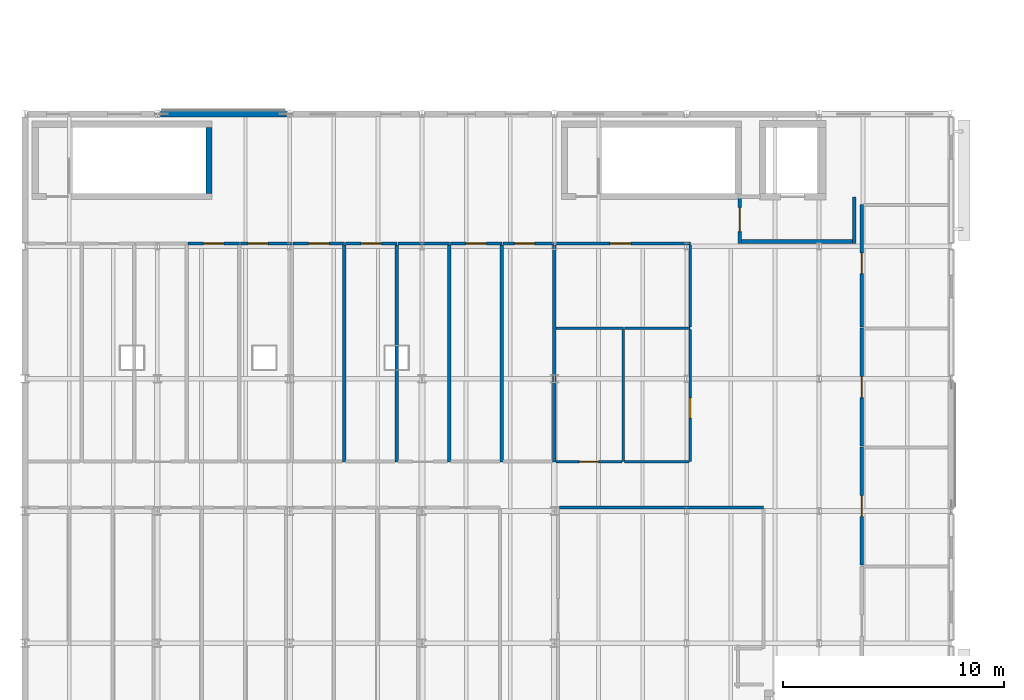
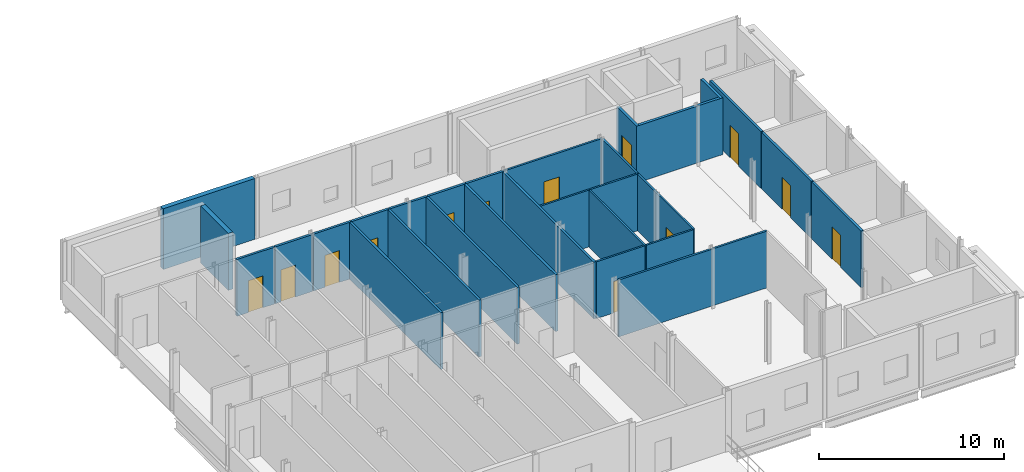
# One storey, part 32 of 45: 29 walls, 13 doors, 13 openings.
"""IFC4 building model written with IfcOpenShell, lengths in metres."""

from ifc_helpers import new_model, si_unit, direction, frame, frame_2d, origin, place, context, subcontext, project, spatial, rectangle, extrude, material, layer, layer_set, type_object, element, fill, save


model = new_model("IFC4")

# Units and contexts
model_context = context("Model", 3, precision=1e-05, world=origin(), true_north=direction((0.0, 1.0)))
body_context = subcontext(model_context, "Body", "Model", "MODEL_VIEW")
ifc_project = project(units=[si_unit("LENGTHUNIT", "METRE"), si_unit("AREAUNIT", "SQUARE_METRE"), si_unit("VOLUMEUNIT", "CUBIC_METRE"), si_unit("PLANEANGLEUNIT", "RADIAN"), si_unit("MASSUNIT", "GRAM", prefix="KILO")], contexts=[model_context])

# Site, building, storey
site_placement = place(None, origin())
site = spatial("IfcSite", under=ifc_project, at=site_placement, CompositionType="ELEMENT")
building_placement = place(site_placement, origin())
building = spatial("IfcBuilding", under=site, at=building_placement, Name="Siltcreek Boulevard Central Fire Station", CompositionType="ELEMENT")
storey_placement = place(building_placement, frame((0.0, 0.0, 10.0)))
storey = spatial("IfcBuildingStorey", under=building, at=storey_placement, Name="L03", CompositionType="ELEMENT", Elevation=10.0)

# Walls
ifc_material_1 = material(Name="Concrete C40/50", Category="concrete")
ifc_layer_1 = layer(ifc_material_1, 0.280029296875, Name="Concrete C40/50")
ifc_layer_set_1 = layer_set([ifc_layer_1], Name="Concrete C40/50")
wall_type_1 = type_object("IfcWallType", Name="CW_SHEAR280", PredefinedType="SHEAR", material=ifc_layer_set_1)
wall_1_placement = place(storey_placement, frame((74.340087890625, 50.39990234375, 0.0), z_axis=(0.0, 0.0, 1.0), x_axis=(0.0, 1.0, 0.0)))
element("IfcWall", 1, at=wall_1_placement, inside=storey, type_object=wall_type_1, Name="L03 ST-V2C stair enclosure east shear wall", PredefinedType="SHEAR", context=body_context, shape_type="SweptSolid", body=[
    extrude(rectangle(XDim=3.0, YDim=0.280029296875, at=frame_2d((1.5, 0.0))), origin(), (0.0, 0.0, 1.0), 3.75),
])
ifc_material_2 = material(Name="White ribbed aluminum spandrel wall", Category="aluminium")
ifc_layer_2 = layer(ifc_material_2, 0.2900390625, Name="White ribbed aluminum spandrel wall")
ifc_layer_set_2 = layer_set([ifc_layer_2], Name="White ribbed aluminum spandrel wall")
wall_type_2 = type_object("IfcWallType", Name="EW_METAL290", PredefinedType="STANDARD", material=ifc_layer_set_2)
wall_2_placement = place(storey_placement, frame((77.85498046875, 54.0, 0.0), z_axis=(0.0, 0.0, 1.0), x_axis=(-1.0, 0.0, 0.0)))
element("IfcWall", 2, at=wall_2_placement, inside=storey, type_object=wall_type_2, Name="L03 V2 exterior insulated rainscreen wall WL-EXT-L03-0089", PredefinedType="STANDARD", context=body_context, shape_type="SweptSolid", body=[
    extrude(rectangle(XDim=5.7099609375, YDim=0.2900390625, at=frame_2d((2.85498046875, 0.0))), origin(), (0.0, 0.0, 1.0), 4.0),
])

# Wall, opening, door
ifc_material_3 = material(Name="STC-55 insulated acoustic crew bunk partition", Category="gypsum")
ifc_layer_3 = layer(ifc_material_3, 0.14501953125, Name="STC-55 insulated acoustic crew bunk partition")
ifc_layer_set_3 = layer_set([ifc_layer_3], Name="STC-55 insulated acoustic crew bunk partition")
wall_type_3 = type_object("IfcWallType", Name="IW_BUNK145", PredefinedType="PARTITIONING", material=ifc_layer_set_3)
wall_3_placement = place(storey_placement, frame((73.389892578125, 48.1298828125, 0.0), z_axis=(0.0, 0.0, 1.0), x_axis=(1.0, 0.0, 0.0)))
wall_3 = element("IfcWall", 3, at=wall_3_placement, inside=storey, type_object=wall_type_3, Name="L03 Crew Bunk Room 14 partition 0232", PredefinedType="PARTITIONING", context=body_context, shape_type="SweptSolid", body=[
    extrude(rectangle(XDim=2.33251953125, YDim=0.14501953125, at=frame_2d((1.166259765625, 0.0))), origin(), (0.0, 0.0, 1.0), 3.739990234375),
])
opening_1_placement = place(wall_3_placement, frame((0.711181640625, 0.0, 0.0)))
opening_1 = element("IfcOpeningElement", 4, at=opening_1_placement, cuts=wall_3, Name="Opening ID04", PredefinedType="OPENING", context=body_context, shape_type="SweptSolid", body=[
    extrude(rectangle(XDim=0.909912109375, YDim=2.10009765625, at=frame_2d((0.455078125, 1.050048828125))), frame((0.0, 0.08251953125, 0.0), z_axis=(0.0, -1.0, 0.0), x_axis=(1.0, 0.0, 0.0)), (0.0, 0.0, 1.0), 0.1650390625),
])
ifc_material_4 = material(Name="STC-45 acoustic crew bunk room door")
door_type_1 = type_object("IfcDoorType", Name="DR_BNK_091X210", OperationType="NOTDEFINED", PredefinedType="DOOR", material=ifc_material_4)
door_1_placement = place(opening_1_placement, frame((0.909912109375, 0.0, 0.0), z_axis=(0.0, 0.0, 1.0), x_axis=(-1.0, 0.0, 0.0)))
door_1 = element("IfcDoor", 5, at=door_1_placement, inside=storey, type_object=door_type_1, Name="L03 Crew Bunk Room 14 door ID-0106", OperationType="SINGLE_SWING_LEFT", OverallHeight=2.10009765625, OverallWidth=0.909912109375, PredefinedType="DOOR", context=body_context, shape_type="SweptSolid", body=[
    extrude(rectangle(XDim=0.909912109375, YDim=2.10009765625, at=frame_2d((0.455078125, 1.050048828125))), frame((0.0, 0.02490234375, 0.0), z_axis=(0.0, -1.0, 0.0), x_axis=(1.0, 0.0, 0.0)), (0.0, 0.0, 1.0), 0.050048828125),
])
fill(opening_1, door_1)

wall_4_placement = place(storey_placement, frame((75.77001953125, 48.1298828125, 0.0), z_axis=(0.0, 0.0, 1.0), x_axis=(1.0, 0.0, 0.0)))
wall_4 = element("IfcWall", 6, at=wall_4_placement, inside=storey, type_object=wall_type_3, Name="L03 Crew Bunk Room 15 partition 0235", PredefinedType="PARTITIONING", context=body_context, shape_type="SweptSolid", body=[
    extrude(rectangle(XDim=2.33251953125, YDim=0.14501953125, at=frame_2d((1.166259765625, 0.0))), origin(), (0.0, 0.0, 1.0), 3.739990234375),
])
opening_2_placement = place(wall_4_placement, frame((0.34375, 0.0, 0.0)))
opening_2 = element("IfcOpeningElement", 7, at=opening_2_placement, cuts=wall_4, Name="Opening ID04", PredefinedType="OPENING", context=body_context, shape_type="SweptSolid", body=[
    extrude(rectangle(XDim=0.909912109375, YDim=2.10009765625, at=frame_2d((0.455078125, 1.050048828125))), frame((0.0, 0.08251953125, 0.0), z_axis=(0.0, -1.0, 0.0), x_axis=(1.0, 0.0, 0.0)), (0.0, 0.0, 1.0), 0.1650390625),
])
door_2_placement = place(opening_2_placement, frame((0.909912109375, 0.0, 0.0), z_axis=(0.0, 0.0, 1.0), x_axis=(-1.0, 0.0, 0.0)))
door_2 = element("IfcDoor", 8, at=door_2_placement, inside=storey, type_object=door_type_1, Name="L03 Crew Bunk Room 15 door ID-0107", OperationType="SINGLE_SWING_RIGHT", OverallHeight=2.10009765625, OverallWidth=0.909912109375, PredefinedType="DOOR", context=body_context, shape_type="SweptSolid", body=[
    extrude(rectangle(XDim=0.909912109375, YDim=2.10009765625, at=frame_2d((0.455078125, 1.050048828125))), frame((0.0, 0.02490234375, 0.0), z_axis=(0.0, -1.0, 0.0), x_axis=(1.0, 0.0, 0.0)), (0.0, 0.0, 1.0), 0.050048828125),
])
fill(opening_2, door_2)

wall_5_placement = place(storey_placement, frame((78.14990234375, 48.1298828125, 0.0), z_axis=(0.0, 0.0, 1.0), x_axis=(1.0, 0.0, 0.0)))
wall_5 = element("IfcWall", 9, at=wall_5_placement, inside=storey, type_object=wall_type_3, Name="L03 Crew Bunk Room 16 partition 0238", PredefinedType="PARTITIONING", context=body_context, shape_type="SweptSolid", body=[
    extrude(rectangle(XDim=2.33251953125, YDim=0.14501953125, at=frame_2d((1.166259765625, 0.0))), origin(), (0.0, 0.0, 1.0), 3.739990234375),
])
opening_3_placement = place(wall_5_placement, frame((0.711181640625, 0.0, 0.0)))
opening_3 = element("IfcOpeningElement", 10, at=opening_3_placement, cuts=wall_5, Name="Opening ID04", PredefinedType="OPENING", context=body_context, shape_type="SweptSolid", body=[
    extrude(rectangle(XDim=0.909912109375, YDim=2.10009765625, at=frame_2d((0.455078125, 1.050048828125))), frame((0.0, 0.08251953125, 0.0), z_axis=(0.0, -1.0, 0.0), x_axis=(1.0, 0.0, 0.0)), (0.0, 0.0, 1.0), 0.1650390625),
])
door_3_placement = place(opening_3_placement, frame((0.909912109375, 0.0, 0.0), z_axis=(0.0, 0.0, 1.0), x_axis=(-1.0, 0.0, 0.0)))
door_3 = element("IfcDoor", 11, at=door_3_placement, inside=storey, type_object=door_type_1, Name="L03 Crew Bunk Room 16 door ID-0108", OperationType="SINGLE_SWING_LEFT", OverallHeight=2.10009765625, OverallWidth=0.909912109375, PredefinedType="DOOR", context=body_context, shape_type="SweptSolid", body=[
    extrude(rectangle(XDim=0.909912109375, YDim=2.10009765625, at=frame_2d((0.455078125, 1.050048828125))), frame((0.0, 0.02490234375, 0.0), z_axis=(0.0, -1.0, 0.0), x_axis=(1.0, 0.0, 0.0)), (0.0, 0.0, 1.0), 0.050048828125),
])
fill(opening_3, door_3)

# Wall
wall_6_placement = place(storey_placement, frame((80.469970703125, 48.0576171875, 0.0), z_axis=(0.0, 0.0, 1.0), x_axis=(0.0, -1.0, 0.0)))
element("IfcWall", 12, at=wall_6_placement, inside=storey, type_object=wall_type_3, Name="L03 Crew Bunk Room 16 partition 0239", PredefinedType="PARTITIONING", context=body_context, shape_type="SweptSolid", body=[
    extrude(rectangle(XDim=9.830078125, YDim=0.14501953125, at=frame_2d((4.9150390625, 0.0))), origin(), (0.0, 0.0, 1.0), 3.739990234375),
])

# Wall, opening, door
wall_7_placement = place(storey_placement, frame((80.530029296875, 48.1298828125, 0.0), z_axis=(0.0, 0.0, 1.0), x_axis=(1.0, 0.0, 0.0)))
wall_7 = element("IfcWall", 13, at=wall_7_placement, inside=storey, type_object=wall_type_3, Name="L03 Crew Bunk Room 17 partition 0241", PredefinedType="PARTITIONING", context=body_context, shape_type="SweptSolid", body=[
    extrude(rectangle(XDim=2.33251953125, YDim=0.14501953125, at=frame_2d((1.166259765625, 0.0))), origin(), (0.0, 0.0, 1.0), 3.739990234375),
])
opening_4_placement = place(wall_7_placement, frame((0.711181640625, 0.0, 0.0)))
opening_4 = element("IfcOpeningElement", 14, at=opening_4_placement, cuts=wall_7, Name="Opening ID04", PredefinedType="OPENING", context=body_context, shape_type="SweptSolid", body=[
    extrude(rectangle(XDim=0.909912109375, YDim=2.10009765625, at=frame_2d((0.455078125, 1.050048828125))), frame((0.0, 0.08251953125, 0.0), z_axis=(0.0, -1.0, 0.0), x_axis=(1.0, 0.0, 0.0)), (0.0, 0.0, 1.0), 0.1650390625),
])
door_4_placement = place(opening_4_placement, frame((0.909912109375, 0.0, 0.0), z_axis=(0.0, 0.0, 1.0), x_axis=(-1.0, 0.0, 0.0)))
door_4 = element("IfcDoor", 15, at=door_4_placement, inside=storey, type_object=door_type_1, Name="L03 Crew Bunk Room 17 door ID-0109", OperationType="SINGLE_SWING_RIGHT", OverallHeight=2.10009765625, OverallWidth=0.909912109375, PredefinedType="DOOR", context=body_context, shape_type="SweptSolid", body=[
    extrude(rectangle(XDim=0.909912109375, YDim=2.10009765625, at=frame_2d((0.455078125, 1.050048828125))), frame((0.0, 0.02490234375, 0.0), z_axis=(0.0, -1.0, 0.0), x_axis=(1.0, 0.0, 0.0)), (0.0, 0.0, 1.0), 0.050048828125),
])
fill(opening_4, door_4)

# Walls
wall_8_placement = place(storey_placement, frame((82.85009765625, 48.0576171875, 0.0), z_axis=(0.0, 0.0, 1.0), x_axis=(0.0, -1.0, 0.0)))
element("IfcWall", 16, at=wall_8_placement, inside=storey, type_object=wall_type_3, Name="L03 Crew Bunk Room 17 partition 0242", PredefinedType="PARTITIONING", context=body_context, shape_type="SweptSolid", body=[
    extrude(rectangle(XDim=9.830078125, YDim=0.14501953125, at=frame_2d((4.9150390625, 0.0))), origin(), (0.0, 0.0, 1.0), 3.739990234375),
])
wall_9_placement = place(storey_placement, frame((82.909912109375, 48.1298828125, 0.0), z_axis=(0.0, 0.0, 1.0), x_axis=(1.0, 0.0, 0.0)))
element("IfcWall", 17, at=wall_9_placement, inside=storey, type_object=wall_type_3, Name="L03 Crew Bunk Room 18 partition 0244", PredefinedType="PARTITIONING", context=body_context, shape_type="SweptSolid", body=[
    extrude(rectangle(XDim=2.33251953125, YDim=0.14501953125, at=frame_2d((1.166259765625, 0.0))), origin(), (0.0, 0.0, 1.0), 3.739990234375),
])
wall_10_placement = place(storey_placement, frame((85.22998046875, 48.0576171875, 0.0), z_axis=(0.0, 0.0, 1.0), x_axis=(0.0, -1.0, 0.0)))
element("IfcWall", 18, at=wall_10_placement, inside=storey, type_object=wall_type_3, Name="L03 Crew Bunk Room 18 partition 0245", PredefinedType="PARTITIONING", context=body_context, shape_type="SweptSolid", body=[
    extrude(rectangle(XDim=9.830078125, YDim=0.14501953125, at=frame_2d((4.9150390625, 0.0))), origin(), (0.0, 0.0, 1.0), 3.739990234375),
])

# Wall, opening, door
wall_11_placement = place(storey_placement, frame((85.2900390625, 48.1298828125, 0.0), z_axis=(0.0, 0.0, 1.0), x_axis=(1.0, 0.0, 0.0)))
wall_11 = element("IfcWall", 19, at=wall_11_placement, inside=storey, type_object=wall_type_3, Name="L03 Crew Bunk Room 19 partition 0247", PredefinedType="PARTITIONING", context=body_context, shape_type="SweptSolid", body=[
    extrude(rectangle(XDim=2.33251953125, YDim=0.14501953125, at=frame_2d((1.166259765625, 0.0))), origin(), (0.0, 0.0, 1.0), 3.739990234375),
])
opening_5_placement = place(wall_11_placement, frame((0.711181640625, 0.0, 0.0)))
opening_5 = element("IfcOpeningElement", 20, at=opening_5_placement, cuts=wall_11, Name="Opening ID04", PredefinedType="OPENING", context=body_context, shape_type="SweptSolid", body=[
    extrude(rectangle(XDim=0.909912109375, YDim=2.10009765625, at=frame_2d((0.455078125, 1.050048828125))), frame((0.0, 0.08251953125, 0.0), z_axis=(0.0, -1.0, 0.0), x_axis=(1.0, 0.0, 0.0)), (0.0, 0.0, 1.0), 0.1650390625),
])
door_5_placement = place(opening_5_placement, frame((0.909912109375, 0.0, 0.0), z_axis=(0.0, 0.0, 1.0), x_axis=(-1.0, 0.0, 0.0)))
door_5 = element("IfcDoor", 21, at=door_5_placement, inside=storey, type_object=door_type_1, Name="L03 Crew Bunk Room 19 door ID-0111", OperationType="SINGLE_SWING_RIGHT", OverallHeight=2.10009765625, OverallWidth=0.909912109375, PredefinedType="DOOR", context=body_context, shape_type="SweptSolid", body=[
    extrude(rectangle(XDim=0.909912109375, YDim=2.10009765625, at=frame_2d((0.455078125, 1.050048828125))), frame((0.0, 0.02490234375, 0.0), z_axis=(0.0, -1.0, 0.0), x_axis=(1.0, 0.0, 0.0)), (0.0, 0.0, 1.0), 0.050048828125),
])
fill(opening_5, door_5)

# Wall
wall_12_placement = place(storey_placement, frame((87.610107421875, 48.0576171875, 0.0), z_axis=(0.0, 0.0, 1.0), x_axis=(0.0, -1.0, 0.0)))
element("IfcWall", 22, at=wall_12_placement, inside=storey, type_object=wall_type_3, Name="L03 Crew Bunk Room 19 partition 0248", PredefinedType="PARTITIONING", context=body_context, shape_type="SweptSolid", body=[
    extrude(rectangle(XDim=9.830078125, YDim=0.14501953125, at=frame_2d((4.9150390625, 0.0))), origin(), (0.0, 0.0, 1.0), 3.739990234375),
])

# Wall, opening, door
wall_13_placement = place(storey_placement, frame((87.669921875, 48.1298828125, 0.0), z_axis=(0.0, 0.0, 1.0), x_axis=(1.0, 0.0, 0.0)))
wall_13 = element("IfcWall", 23, at=wall_13_placement, inside=storey, type_object=wall_type_3, Name="L03 Crew Bunk Room 20 partition 0250", PredefinedType="PARTITIONING", context=body_context, shape_type="SweptSolid", body=[
    extrude(rectangle(XDim=2.33251953125, YDim=0.14501953125, at=frame_2d((1.166259765625, 0.0))), origin(), (0.0, 0.0, 1.0), 3.739990234375),
])
opening_6_placement = place(wall_13_placement, frame((0.527587890625, 0.0, 0.0)))
opening_6 = element("IfcOpeningElement", 24, at=opening_6_placement, cuts=wall_13, Name="Opening ID04", PredefinedType="OPENING", context=body_context, shape_type="SweptSolid", body=[
    extrude(rectangle(XDim=0.909912109375, YDim=2.10009765625, at=frame_2d((0.455078125, 1.050048828125))), frame((0.0, 0.08251953125, 0.0), z_axis=(0.0, -1.0, 0.0), x_axis=(1.0, 0.0, 0.0)), (0.0, 0.0, 1.0), 0.1650390625),
])
door_6_placement = place(opening_6_placement, frame((0.909912109375, 0.0, 0.0), z_axis=(0.0, 0.0, 1.0), x_axis=(-1.0, 0.0, 0.0)))
door_6 = element("IfcDoor", 25, at=door_6_placement, inside=storey, type_object=door_type_1, Name="L03 Crew Bunk Room 20 door ID-0112", OperationType="SINGLE_SWING_LEFT", OverallHeight=2.10009765625, OverallWidth=0.909912109375, PredefinedType="DOOR", context=body_context, shape_type="SweptSolid", body=[
    extrude(rectangle(XDim=0.909912109375, YDim=2.10009765625, at=frame_2d((0.455078125, 1.050048828125))), frame((0.0, 0.02490234375, 0.0), z_axis=(0.0, -1.0, 0.0), x_axis=(1.0, 0.0, 0.0)), (0.0, 0.0, 1.0), 0.050048828125),
])
fill(opening_6, door_6)

# Wall
wall_14_placement = place(storey_placement, frame((89.989990234375, 48.0576171875, 0.0), z_axis=(0.0, 0.0, 1.0), x_axis=(0.0, -1.0, 0.0)))
element("IfcWall", 26, at=wall_14_placement, inside=storey, type_object=wall_type_3, Name="L03 Crew Bunk Room 20 partition 0251", PredefinedType="PARTITIONING", context=body_context, shape_type="SweptSolid", body=[
    extrude(rectangle(XDim=9.830078125, YDim=0.14501953125, at=frame_2d((4.9150390625, 0.0))), origin(), (0.0, 0.0, 1.0), 3.739990234375),
])

# Wall, opening, door
wall_15_placement = place(storey_placement, frame((103.93994140625, 33.552490234375, 0.0), z_axis=(0.0, 0.0, 1.0), x_axis=(0.0, 1.0, 0.0)))
wall_15 = element("IfcWall", 27, at=wall_15_placement, inside=storey, type_object=wall_type_3, Name="L03 Duty Officer Bunk Suite 02 partition 0255", PredefinedType="PARTITIONING", context=body_context, shape_type="SweptSolid", body=[
    extrude(rectangle(XDim=5.340087890625, YDim=0.14501953125, at=frame_2d((2.669921875, 0.0))), origin(), (0.0, 0.0, 1.0), 3.739990234375),
])
opening_7_placement = place(wall_15_placement, frame((2.195068359375, 0.0, 0.0)))
opening_7 = element("IfcOpeningElement", 28, at=opening_7_placement, cuts=wall_15, Name="Opening ID05", PredefinedType="OPENING", context=body_context, shape_type="SweptSolid", body=[
    extrude(rectangle(XDim=0.949951171875, YDim=2.1201171875, at=frame_2d((0.47509765625, 1.06005859375))), frame((0.0, 0.08251953125, 0.0), z_axis=(0.0, -1.0, 0.0), x_axis=(1.0, 0.0, 0.0)), (0.0, 0.0, 1.0), 0.1650390625),
])
ifc_material_5 = material(Name="STC-45 officer bunk suite door")
door_type_2 = type_object("IfcDoorType", Name="DR_OFS_095X212", OperationType="NOTDEFINED", PredefinedType="DOOR", material=ifc_material_5)
door_7_placement = place(opening_7_placement, frame((0.949951171875, 0.0, 0.0), z_axis=(0.0, 0.0, 1.0), x_axis=(-1.0, 0.0, 0.0)))
door_7 = element("IfcDoor", 29, at=door_7_placement, inside=storey, type_object=door_type_2, Name="L03 Duty Officer Bunk Suite 02 door ID-0114", OperationType="SINGLE_SWING_LEFT", OverallHeight=2.1201171875, OverallWidth=0.949951171875, PredefinedType="DOOR", context=body_context, shape_type="SweptSolid", body=[
    extrude(rectangle(XDim=0.949951171875, YDim=2.1201171875, at=frame_2d((0.47509765625, 1.06005859375))), frame((0.0, 0.02490234375, 0.0), z_axis=(0.0, -1.0, 0.0), x_axis=(1.0, 0.0, 0.0)), (0.0, 0.0, 1.0), 0.050048828125),
])
fill(opening_7, door_7)

wall_16_placement = place(storey_placement, frame((103.93994140625, 38.952392578125, 0.0), z_axis=(0.0, 0.0, 1.0), x_axis=(0.0, 1.0, 0.0)))
wall_16 = element("IfcWall", 30, at=wall_16_placement, inside=storey, type_object=wall_type_3, Name="L03 Duty Officer Bunk Suite 03 partition 0257", PredefinedType="PARTITIONING", context=body_context, shape_type="SweptSolid", body=[
    extrude(rectangle(XDim=5.340087890625, YDim=0.14501953125, at=frame_2d((2.669921875, 0.0))), origin(), (0.0, 0.0, 1.0), 3.739990234375),
])
opening_8_placement = place(wall_16_placement, frame((2.195068359375, 0.0, 0.0)))
opening_8 = element("IfcOpeningElement", 31, at=opening_8_placement, cuts=wall_16, Name="Opening ID05", PredefinedType="OPENING", context=body_context, shape_type="SweptSolid", body=[
    extrude(rectangle(XDim=0.949951171875, YDim=2.1201171875, at=frame_2d((0.47509765625, 1.06005859375))), frame((0.0, 0.08251953125, 0.0), z_axis=(0.0, -1.0, 0.0), x_axis=(1.0, 0.0, 0.0)), (0.0, 0.0, 1.0), 0.1650390625),
])
door_8_placement = place(opening_8_placement, frame((0.949951171875, 0.0, 0.0), z_axis=(0.0, 0.0, 1.0), x_axis=(-1.0, 0.0, 0.0)))
door_8 = element("IfcDoor", 32, at=door_8_placement, inside=storey, type_object=door_type_2, Name="L03 Duty Officer Bunk Suite 03 door ID-0115", OperationType="SINGLE_SWING_RIGHT", OverallHeight=2.1201171875, OverallWidth=0.949951171875, PredefinedType="DOOR", context=body_context, shape_type="SweptSolid", body=[
    extrude(rectangle(XDim=0.949951171875, YDim=2.1201171875, at=frame_2d((0.47509765625, 1.06005859375))), frame((0.0, 0.02490234375, 0.0), z_axis=(0.0, -1.0, 0.0), x_axis=(1.0, 0.0, 0.0)), (0.0, 0.0, 1.0), 0.050048828125),
])
fill(opening_8, door_8)

wall_17_placement = place(storey_placement, frame((103.93994140625, 44.3525390625, 0.0), z_axis=(0.0, 0.0, 1.0), x_axis=(0.0, 1.0, 0.0)))
wall_17 = element("IfcWall", 33, at=wall_17_placement, inside=storey, type_object=wall_type_3, Name="L03 Duty Officer Bunk Suite 04 partition 0259", PredefinedType="PARTITIONING", context=body_context, shape_type="SweptSolid", body=[
    extrude(rectangle(XDim=5.5400390625, YDim=0.14501953125, at=frame_2d((2.77001953125, 0.0))), origin(), (0.0, 0.0, 1.0), 3.739990234375),
])
opening_9_placement = place(wall_17_placement, frame((2.407470703125, 0.0, 0.0)))
opening_9 = element("IfcOpeningElement", 34, at=opening_9_placement, cuts=wall_17, Name="Opening ID05", PredefinedType="OPENING", context=body_context, shape_type="SweptSolid", body=[
    extrude(rectangle(XDim=0.949951171875, YDim=2.1201171875, at=frame_2d((0.47509765625, 1.06005859375))), frame((0.0, 0.08251953125, 0.0), z_axis=(0.0, -1.0, 0.0), x_axis=(1.0, 0.0, 0.0)), (0.0, 0.0, 1.0), 0.1650390625),
])
door_9_placement = place(opening_9_placement, frame((0.949951171875, 0.0, 0.0), z_axis=(0.0, 0.0, 1.0), x_axis=(-1.0, 0.0, 0.0)))
door_9 = element("IfcDoor", 35, at=door_9_placement, inside=storey, type_object=door_type_2, Name="L03 Duty Officer Bunk Suite 04 door ID-0116", OperationType="SINGLE_SWING_LEFT", OverallHeight=2.1201171875, OverallWidth=0.949951171875, PredefinedType="DOOR", context=body_context, shape_type="SweptSolid", body=[
    extrude(rectangle(XDim=0.949951171875, YDim=2.1201171875, at=frame_2d((0.47509765625, 1.06005859375))), frame((0.0, 0.02490234375, 0.0), z_axis=(0.0, -1.0, 0.0), x_axis=(1.0, 0.0, 0.0)), (0.0, 0.0, 1.0), 0.050048828125),
])
fill(opening_9, door_9)

# Wall
ifc_material_6 = material(Name="Interior steel stud gypsum partition", Category="steel")
ifc_layer_4 = layer(ifc_material_6, 0.125, Name="Interior steel stud gypsum partition")
ifc_layer_set_4 = layer_set([ifc_layer_4], Name="Interior steel stud gypsum partition")
wall_type_4 = type_object("IfcWallType", Name="IW_PART125", PredefinedType="PARTITIONING", material=ifc_layer_set_4)
wall_18_placement = place(storey_placement, frame((90.232421875, 36.159912109375, 0.0), z_axis=(0.0, 0.0, 1.0), x_axis=(1.0, 0.0, 0.0)))
element("IfcWall", 36, at=wall_18_placement, inside=storey, type_object=wall_type_4, Name="L03 Crew Quiet Reading Lounge partition 0262", PredefinedType="PARTITIONING", context=body_context, shape_type="SweptSolid", body=[
    extrude(rectangle(XDim=9.25, YDim=0.125, at=frame_2d((4.625, 0.0))), origin(), (0.0, 0.0, 1.0), 3.739990234375),
])

# Wall, opening, door
wall_19_placement = place(storey_placement, frame((90.0625, 48.1298828125, 0.0), z_axis=(0.0, 0.0, 1.0), x_axis=(1.0, 0.0, 0.0)))
wall_19 = element("IfcWall", 37, at=wall_19_placement, inside=storey, type_object=wall_type_4, Name="L03 Dormitory Clean Linen Room partition 0273", PredefinedType="PARTITIONING", context=body_context, shape_type="SweptSolid", body=[
    extrude(rectangle(XDim=6.10009765625, YDim=0.125, at=frame_2d((3.050048828125, 0.0))), origin(), (0.0, 0.0, 1.0), 3.739990234375),
])
opening_10_placement = place(wall_19_placement, frame((2.455078125, 0.0, 0.0)))
opening_10 = element("IfcOpeningElement", 38, at=opening_10_placement, cuts=wall_19, Name="Opening ID02", PredefinedType="OPENING", context=body_context, shape_type="SweptSolid", body=[
    extrude(rectangle(XDim=0.9599609375, YDim=2.14990234375, at=frame_2d((0.47998046875, 1.074951171875))), frame((0.0, 0.072509765625, 0.0), z_axis=(0.0, -1.0, 0.0), x_axis=(1.0, 0.0, 0.0)), (0.0, 0.0, 1.0), 0.14501953125),
])
ifc_material_7 = material(Name="Solid-core timber headquarters office door", Category="wood")
door_type_3 = type_object("IfcDoorType", Name="DR_OFF_096X215", OperationType="NOTDEFINED", PredefinedType="DOOR", material=ifc_material_7)
door_10_placement = place(opening_10_placement, frame((0.9599609375, 0.0, 0.0), z_axis=(0.0, 0.0, 1.0), x_axis=(-1.0, 0.0, 0.0)))
door_10 = element("IfcDoor", 39, at=door_10_placement, inside=storey, type_object=door_type_3, Name="L03 Dormitory Clean Linen Room door ID-0120", OperationType="SINGLE_SWING_LEFT", OverallHeight=2.14990234375, OverallWidth=0.9599609375, PredefinedType="DOOR", context=body_context, shape_type="SweptSolid", body=[
    extrude(rectangle(XDim=0.9599609375, YDim=2.14990234375, at=frame_2d((0.47998046875, 1.074951171875))), frame((0.0, 0.02490234375, 0.0), z_axis=(0.0, -1.0, 0.0), x_axis=(1.0, 0.0, 0.0)), (0.0, 0.0, 1.0), 0.050048828125),
])
fill(opening_10, door_10)

# Walls
wall_20_placement = place(storey_placement, frame((96.159912109375, 48.0673828125, 0.0), z_axis=(0.0, 0.0, 1.0), x_axis=(0.0, -1.0, 0.0)))
element("IfcWall", 40, at=wall_20_placement, inside=storey, type_object=wall_type_4, Name="L03 Dormitory Clean Linen Room partition 0274", PredefinedType="PARTITIONING", context=body_context, shape_type="SweptSolid", body=[
    extrude(rectangle(XDim=3.732421875, YDim=0.125, at=frame_2d((1.8662109375, 0.0))), origin(), (0.0, 0.0, 1.0), 3.739990234375),
])
ifc_material_8 = material(Name="Acoustic smoke-barrier steel stud gypsum wall", Category="steel")
ifc_layer_5 = layer(ifc_material_8, 0.1650390625, Name="Acoustic smoke-barrier steel stud gypsum wall")
ifc_layer_set_5 = layer_set([ifc_layer_5], Name="Acoustic smoke-barrier steel stud gypsum wall")
wall_type_5 = type_object("IfcWallType", Name="IW_SMK165", PredefinedType="PARTITIONING", material=ifc_layer_set_5)
wall_21_placement = place(storey_placement, frame((98.320068359375, 48.219970703125, 0.0), z_axis=(0.0, 0.0, 1.0), x_axis=(1.0, 0.0, 0.0)))
element("IfcWall", 41, at=wall_21_placement, inside=storey, type_object=wall_type_5, Name="L03 EL-03 elevator lobby S smoke partition", PredefinedType="PARTITIONING", context=body_context, shape_type="SweptSolid", body=[
    extrude(rectangle(XDim=5.35986328125, YDim=0.1650390625, at=frame_2d((2.679931640625, 0.0))), origin(), (0.0, 0.0, 1.0), 3.739990234375),
])
wall_22_placement = place(storey_placement, frame((103.60009765625, 48.139892578125, 0.0), z_axis=(0.0, 0.0, 1.0), x_axis=(0.0, 1.0, 0.0)))
element("IfcWall", 42, at=wall_22_placement, inside=storey, type_object=wall_type_5, Name="L03 EL-03 elevator lobby E smoke partition", PredefinedType="PARTITIONING", context=body_context, shape_type="SweptSolid", body=[
    extrude(rectangle(XDim=2.107666015625, YDim=0.1650390625, at=frame_2d((1.0537109375, 0.0))), origin(), (0.0, 0.0, 1.0), 3.739990234375),
])

# Wall, opening, door
wall_23_placement = place(storey_placement, frame((98.39990234375, 48.139892578125, 0.0), z_axis=(0.0, 0.0, 1.0), x_axis=(0.0, 1.0, 0.0)))
wall_23 = element("IfcWall", 43, at=wall_23_placement, inside=storey, type_object=wall_type_5, Name="L03 EL-03 elevator lobby west smoke partition", PredefinedType="PARTITIONING", context=body_context, shape_type="SweptSolid", body=[
    extrude(rectangle(XDim=2.147705078125, YDim=0.1650390625, at=frame_2d((1.07373046875, 0.0))), origin(), (0.0, 0.0, 1.0), 3.739990234375),
])
opening_11_placement = place(wall_23_placement, frame((0.53369140625, 0.0, 0.0)))
opening_11 = element("IfcOpeningElement", 44, at=opening_11_placement, cuts=wall_23, Name="Opening DD01", PredefinedType="OPENING", context=body_context, shape_type="SweptSolid", body=[
    extrude(rectangle(XDim=1.080078125, YDim=2.139892578125, at=frame_2d((0.5400390625, 1.06982421875))), frame((0.0, 0.092529296875, 0.0), z_axis=(0.0, -1.0, 0.0), x_axis=(1.0, 0.0, 0.0)), (0.0, 0.0, 1.0), 0.18505859375),
])
ifc_material_9 = material(Name="Stainless steel positive-pressure decon airlock door", Category="steel")
door_type_4 = type_object("IfcDoorType", Name="DR_DEC_108X214", OperationType="NOTDEFINED", PredefinedType="DOOR", material=ifc_material_9)
door_11_placement = place(opening_11_placement, frame((1.080078125, 0.0, 0.0), z_axis=(0.0, 0.0, 1.0), x_axis=(-1.0, 0.0, 0.0)))
door_11 = element("IfcDoor", 45, at=door_11_placement, inside=storey, type_object=door_type_4, Name="L03 EL-03 elevator lobby smoke door", OperationType="SINGLE_SWING_RIGHT", OverallHeight=2.139892578125, OverallWidth=1.080078125, PredefinedType="DOOR", context=body_context, shape_type="SweptSolid", body=[
    extrude(rectangle(XDim=1.080078125, YDim=2.139892578125, at=frame_2d((0.5400390625, 1.06982421875))), frame((0.0, 0.02490234375, 0.0), z_axis=(0.0, -1.0, 0.0), x_axis=(1.0, 0.0, 0.0)), (0.0, 0.0, 1.0), 0.050048828125),
])
fill(opening_11, door_11)

# Walls
ifc_material_10 = material(Name="Moisture-resistant tile backer toilet partition", Category="gypsum")
ifc_layer_6 = layer(ifc_material_10, 0.110107421875, Name="Moisture-resistant tile backer toilet partition")
ifc_layer_set_6 = layer_set([ifc_layer_6], Name="Moisture-resistant tile backer toilet partition")
wall_type_6 = type_object("IfcWallType", Name="IW_WET110", PredefinedType="PARTITIONING", material=ifc_layer_set_6)
wall_24_placement = place(storey_placement, frame((90.0625, 44.280029296875, 0.0), z_axis=(0.0, 0.0, 1.0), x_axis=(1.0, 0.0, 0.0)))
element("IfcWall", 46, at=wall_24_placement, inside=storey, type_object=wall_type_6, Name="L03 Unisex Crew Shower and Toilet 301 partition 0267", PredefinedType="PARTITIONING", context=body_context, shape_type="SweptSolid", body=[
    extrude(rectangle(XDim=3.0625, YDim=0.110107421875, at=frame_2d((1.53125, 0.0))), origin(), (0.0, 0.0, 1.0), 3.739990234375),
])
wall_25_placement = place(storey_placement, frame((93.1298828125, 44.22509765625, 0.0), z_axis=(0.0, 0.0, 1.0), x_axis=(0.0, -1.0, 0.0)))
element("IfcWall", 47, at=wall_25_placement, inside=storey, type_object=wall_type_6, Name="L03 Unisex Crew Shower and Toilet 301 partition 0268", PredefinedType="PARTITIONING", context=body_context, shape_type="SweptSolid", body=[
    extrude(rectangle(XDim=5.97998046875, YDim=0.110107421875, at=frame_2d((2.989990234375, 0.0))), origin(), (0.0, 0.0, 1.0), 3.739990234375),
])

# Wall, opening, door
wall_26_placement = place(storey_placement, frame((93.074951171875, 38.239990234375, 0.0), z_axis=(0.0, 0.0, 1.0), x_axis=(-1.0, 0.0, 0.0)))
wall_26 = element("IfcWall", 48, at=wall_26_placement, inside=storey, type_object=wall_type_6, Name="L03 Unisex Crew Shower and Toilet 301 partition 0269", PredefinedType="PARTITIONING", context=body_context, shape_type="SweptSolid", body=[
    extrude(rectangle(XDim=3.012451171875, YDim=0.110107421875, at=frame_2d((1.50634765625, 0.0))), origin(), (0.0, 0.0, 1.0), 3.739990234375),
])
opening_12_placement = place(wall_26_placement, frame((1.0712890625, 0.0, 0.0)))
opening_12 = element("IfcOpeningElement", 49, at=opening_12_placement, cuts=wall_26, Name="Opening ID09", PredefinedType="OPENING", context=body_context, shape_type="SweptSolid", body=[
    extrude(rectangle(XDim=0.8701171875, YDim=2.06005859375, at=frame_2d((0.43505859375, 1.030029296875))), frame((0.0, 0.06494140625, 0.0), z_axis=(0.0, -1.0, 0.0), x_axis=(1.0, 0.0, 0.0)), (0.0, 0.0, 1.0), 0.130126953125),
])
ifc_material_11 = material(Name="Moisture-resistant staff toilet door")
door_type_5 = type_object("IfcDoorType", Name="DR_WC_087X206", OperationType="NOTDEFINED", PredefinedType="DOOR", material=ifc_material_11)
door_12_placement = place(opening_12_placement, frame((0.8701171875, 0.0, 0.0), z_axis=(0.0, 0.0, 1.0), x_axis=(-1.0, 0.0, 0.0)))
door_12 = element("IfcDoor", 50, at=door_12_placement, inside=storey, type_object=door_type_5, Name="L03 Unisex Crew Shower and Toilet 301 door ID-0118", OperationType="SINGLE_SWING_LEFT", OverallHeight=2.06005859375, OverallWidth=0.8701171875, PredefinedType="DOOR", context=body_context, shape_type="SweptSolid", body=[
    extrude(rectangle(XDim=0.8701171875, YDim=2.06005859375, at=frame_2d((0.43505859375, 1.030029296875))), frame((0.0, 0.02490234375, 0.0), z_axis=(0.0, -1.0, 0.0), x_axis=(1.0, 0.0, 0.0)), (0.0, 0.0, 1.0), 0.050048828125),
])
fill(opening_12, door_12)

# Wall
wall_27_placement = place(storey_placement, frame((93.18505859375, 44.280029296875, 0.0), z_axis=(0.0, 0.0, 1.0), x_axis=(1.0, 0.0, 0.0)))
element("IfcWall", 51, at=wall_27_placement, inside=storey, type_object=wall_type_6, Name="L03 Accessible Crew Shower and Toilet 302 partition 0270", PredefinedType="PARTITIONING", context=body_context, shape_type="SweptSolid", body=[
    extrude(rectangle(XDim=2.969970703125, YDim=0.110107421875, at=frame_2d((1.48486328125, 0.0))), origin(), (0.0, 0.0, 1.0), 3.739990234375),
])

# Wall, opening, door
wall_28_placement = place(storey_placement, frame((96.159912109375, 44.22509765625, 0.0), z_axis=(0.0, 0.0, 1.0), x_axis=(0.0, -1.0, 0.0)))
wall_28 = element("IfcWall", 52, at=wall_28_placement, inside=storey, type_object=wall_type_6, Name="L03 Accessible Crew Shower and Toilet 302 partition 0271", PredefinedType="PARTITIONING", context=body_context, shape_type="SweptSolid", body=[
    extrude(rectangle(XDim=5.97998046875, YDim=0.110107421875, at=frame_2d((2.989990234375, 0.0))), origin(), (0.0, 0.0, 1.0), 3.739990234375),
])
opening_13_placement = place(wall_28_placement, frame((3.106689453125, 0.0, 0.0)))
opening_13 = element("IfcOpeningElement", 53, at=opening_13_placement, cuts=wall_28, Name="Opening ID08", PredefinedType="OPENING", context=body_context, shape_type="SweptSolid", body=[
    extrude(rectangle(XDim=0.89990234375, YDim=2.10009765625, at=frame_2d((0.449951171875, 1.050048828125))), frame((0.0, 0.06494140625, 0.0), z_axis=(0.0, -1.0, 0.0), x_axis=(1.0, 0.0, 0.0)), (0.0, 0.0, 1.0), 0.130126953125),
])
ifc_material_12 = material(Name="Moisture-resistant accessible toilet door")
door_type_6 = type_object("IfcDoorType", Name="DR_WC_090X210", OperationType="NOTDEFINED", PredefinedType="DOOR", material=ifc_material_12)
door_13_placement = place(opening_13_placement, frame((0.89990234375, 0.0, 0.0), z_axis=(0.0, 0.0, 1.0), x_axis=(-1.0, 0.0, 0.0)))
door_13 = element("IfcDoor", 54, at=door_13_placement, inside=storey, type_object=door_type_6, Name="L03 Accessible Crew Shower and Toilet 302 door ID-0119", OperationType="SINGLE_SWING_RIGHT", OverallHeight=2.10009765625, OverallWidth=0.89990234375, PredefinedType="DOOR", context=body_context, shape_type="SweptSolid", body=[
    extrude(rectangle(XDim=0.89990234375, YDim=2.10009765625, at=frame_2d((0.449951171875, 1.050048828125))), frame((0.0, 0.02490234375, 0.0), z_axis=(0.0, -1.0, 0.0), x_axis=(1.0, 0.0, 0.0)), (0.0, 0.0, 1.0), 0.050048828125),
])
fill(opening_13, door_13)

# Wall
wall_29_placement = place(storey_placement, frame((96.10498046875, 38.239990234375, 0.0), z_axis=(0.0, 0.0, 1.0), x_axis=(-1.0, 0.0, 0.0)))
element("IfcWall", 55, at=wall_29_placement, inside=storey, type_object=wall_type_6, Name="L03 Accessible Crew Shower and Toilet 302 partition 0272", PredefinedType="PARTITIONING", context=body_context, shape_type="SweptSolid", body=[
    extrude(rectangle(XDim=2.919921875, YDim=0.110107421875, at=frame_2d((1.4599609375, 0.0))), origin(), (0.0, 0.0, 1.0), 3.739990234375),
])

save(model, "model.ifc")
